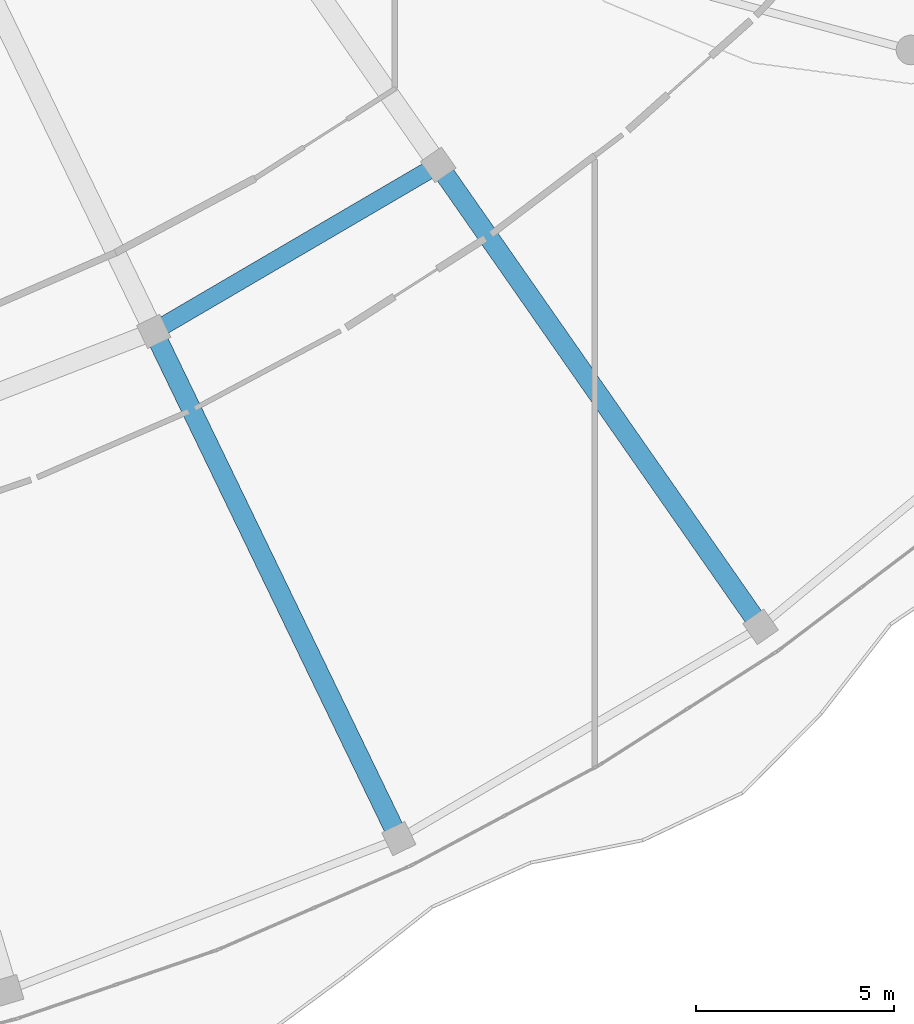
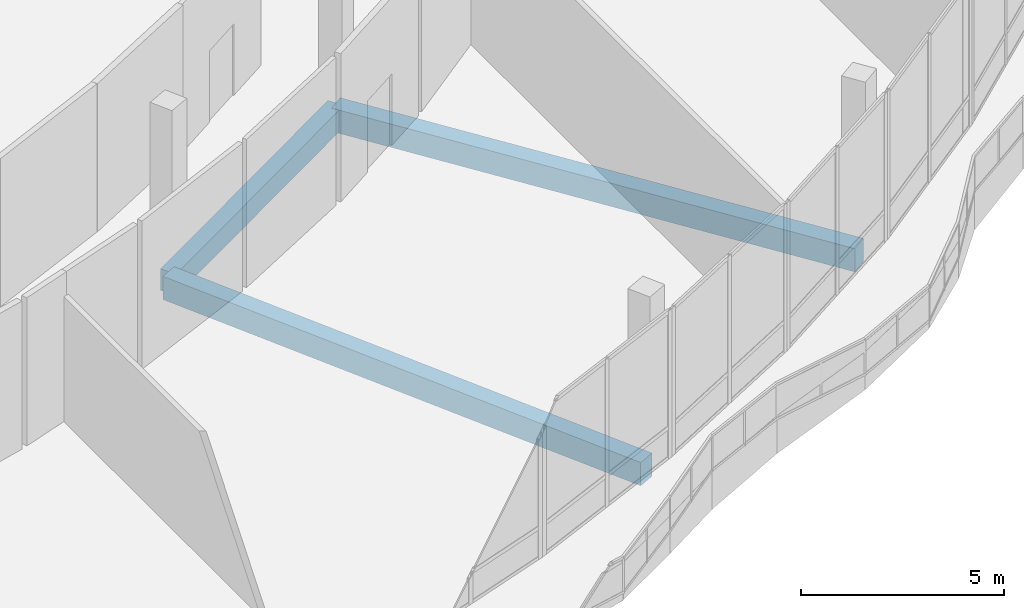
# One storey, part 41 of 155: 3 beams.
"""IFC4 building model written with IfcOpenShell, lengths in metres."""

from ifc_helpers import new_model, si_unit, direction, frame, origin, origin_2d, place, context, subcontext, project, spatial, rectangle, extrude, material, material_profile, profile_set, type_object, element, save


model = new_model("IFC4")

# Units and contexts
model_context = context("Model", 3, precision=1e-05, world=origin(), true_north=direction((0.0, 1.0)))
body_context = subcontext(model_context, "Body", "Model", "MODEL_VIEW")
ifc_project = project(units=[si_unit("LENGTHUNIT", "METRE"), si_unit("AREAUNIT", "SQUARE_METRE"), si_unit("VOLUMEUNIT", "CUBIC_METRE"), si_unit("PLANEANGLEUNIT", "RADIAN"), si_unit("MASSUNIT", "GRAM", prefix="KILO")], contexts=[model_context])

# Site, building, storey
site_placement = place(None, origin())
site = spatial("IfcSite", under=ifc_project, at=site_placement, CompositionType="ELEMENT")
building_placement = place(site_placement, origin())
building = spatial("IfcBuilding", under=site, at=building_placement, Name="Selatvlak General Hospital", CompositionType="ELEMENT")
storey_placement = place(building_placement, frame((0.0, 0.0, 10.199951171875)))
storey = spatial("IfcBuildingStorey", under=building, at=storey_placement, Name="L02", CompositionType="ELEMENT", Elevation=10.199951171875)

# Beams
ifc_material = material(Name="Concrete C40/50", Category="concrete")
ifc_material_profile_1 = material_profile(ifc_material, rectangle(XDim=0.5, YDim=0.699951171875, at=origin_2d()), Name="RC-BM 500x700")
ifc_profile_set_1 = profile_set([ifc_material_profile_1], Name="Concrete C40/50")
beam_type_1 = type_object("IfcBeamType", Name="BM-G03", PredefinedType="BEAM", material=ifc_profile_set_1)
for number, where, z_axis, x_axis, name in (
    (1, (78.842041015625, 32.22998046875, -0.704833984375), (0.435208471864, -0.900329709616, 0.0), (0.900329709616, 0.435208471864, 0.0), "Beam BMR-L02-1118"),
    (2, (86.041015625, 36.444091796875, -0.704833984375), (0.572196870903, -0.820116297198, 0.0), (0.820116297198, 0.572196870903, 0.0), "Beam BMR-L02-1120"),
):
    element("IfcBeam", number, at=place(storey_placement, frame(where, z_axis=z_axis, x_axis=x_axis)), inside=storey, type_object=beam_type_1, Name=name, PredefinedType="BEAM", context=body_context, shape_type="SweptSolid", body=[
        extrude(rectangle(XDim=0.5, YDim=0.699951171875, at=origin_2d()), origin(), (0.0, 0.0, 1.0), 14.25048828125),
    ])
ifc_material_profile_2 = material_profile(ifc_material, rectangle(XDim=0.449951171875, YDim=0.64990234375, at=origin_2d()), Name="RC-BM 450x650")
ifc_profile_set_2 = profile_set([ifc_material_profile_2], Name="Concrete C40/50")
beam_type_2 = type_object("IfcBeamType", Name="BM-G04", PredefinedType="BEAM", material=ifc_profile_set_2)
beam_placement = place(storey_placement, frame((78.842041015625, 32.22998046875, -0.679931640625), z_axis=(0.863010423481, 0.505186113193, 0.0), x_axis=(-0.505186113193, 0.863010423481, 0.0)))
element("IfcBeam", 3, at=beam_placement, inside=storey, type_object=beam_type_2, Name="Beam BMR-L02-1138", PredefinedType="BEAM", context=body_context, shape_type="SweptSolid", body=[
    extrude(rectangle(XDim=0.449951171875, YDim=0.64990234375, at=origin_2d()), origin(), (0.0, 0.0, 1.0), 8.341796875),
])

save(model, "model.ifc")
